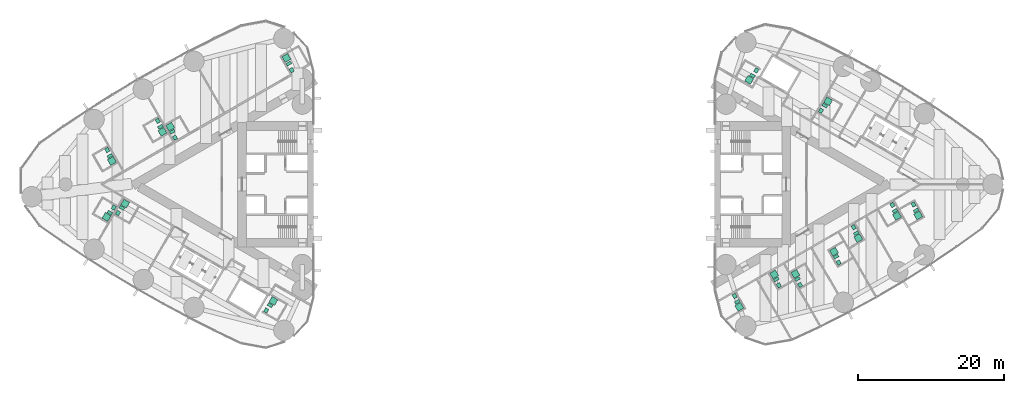
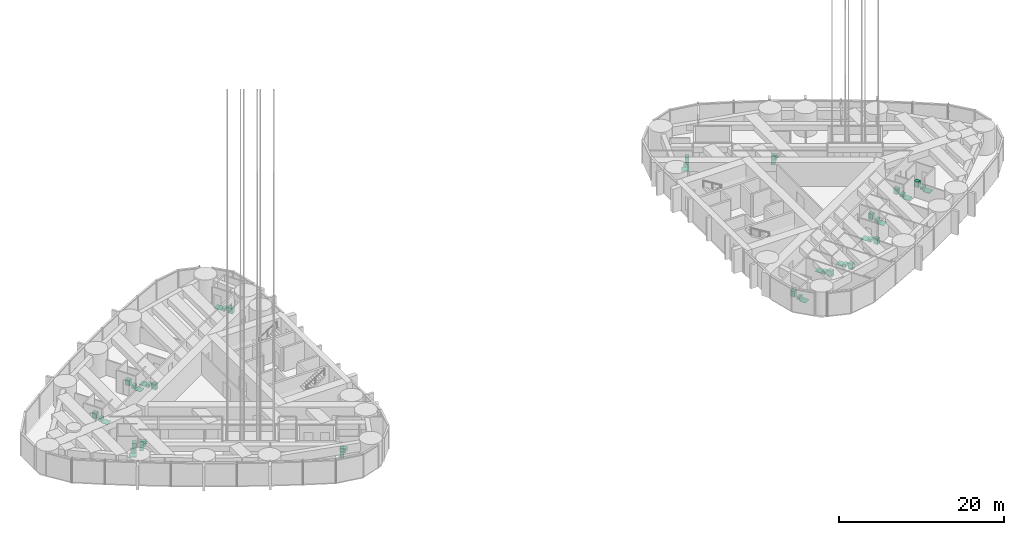
# One storey, part 19 of 21: 18 sanitary terminals.
"""IFC4 building model written with IfcOpenShell, lengths in metres."""

from ifc_helpers import new_model, si_unit, direction, frame, origin, origin_2d, place, context, subcontext, project, spatial, rectangle, extrude, material, type_object, element, save


model = new_model("IFC4")

# Units and contexts
model_context = context("Model", 3, precision=1e-05, world=origin(), true_north=direction((0.0, 1.0)))
body_context = subcontext(model_context, "Body", "Model", "MODEL_VIEW")
ifc_project = project(units=[si_unit("LENGTHUNIT", "METRE"), si_unit("AREAUNIT", "SQUARE_METRE"), si_unit("VOLUMEUNIT", "CUBIC_METRE"), si_unit("PLANEANGLEUNIT", "RADIAN"), si_unit("MASSUNIT", "GRAM", prefix="KILO")], contexts=[model_context])

# Site, building, storey
site_placement = place(None, origin())
site = spatial("IfcSite", under=ifc_project, at=site_placement, CompositionType="ELEMENT")
building_placement = place(site_placement, origin())
building = spatial("IfcBuilding", under=site, at=building_placement, Name="Lancet Gate Hotel", CompositionType="ELEMENT")
storey_placement = place(building_placement, frame((0.0, 0.0, 156.300048828125)))
storey = spatial("IfcBuildingStorey", under=building, at=storey_placement, Name="L41", CompositionType="ELEMENT", Elevation=156.300048828125)

# Sanitary terminals
ifc_material_1 = material(Name="Vitreous china sanitary ware")
sanitary_terminal_type_1 = type_object("IfcSanitaryTerminalType", Name="En-suite sanitary set (shower, WC, basin)", PredefinedType="USERDEFINED", material=ifc_material_1)
sanitary_terminal_1_placement = place(storey_placement, frame((-47.13525390625, 7.90576171875, 0.0), z_axis=(0.0, 0.0, 1.0), x_axis=(1.0, 0.0, 0.0)))
element("IfcSanitaryTerminal", 1, at=sanitary_terminal_1_placement, inside=storey, type_object=sanitary_terminal_type_1, Name="En-suite sanitary set (shower, WC, basin) 4102", ObjectType="EN-SUITE SANITARY SET", PredefinedType="USERDEFINED", context=body_context, shape_type="SweptSolid", body=[
    extrude(rectangle(XDim=0.89990234375, YDim=0.89990234375, at=origin_2d()), frame((0.0, 0.0, 0.0), z_axis=(0.0, 0.0, 1.0), x_axis=(-0.5, 0.866025403784, 0.0)), (0.0, 0.0, 1.0), 0.050048828125),
    extrude(rectangle(XDim=0.39990234375, YDim=0.699951171875, at=origin_2d()), frame((0.278564453125, -0.682373046875, 0.0), z_axis=(0.0, 0.0, 1.0), x_axis=(-0.5, 0.866025403784, 0.0)), (0.0, 0.0, 1.0), 0.39990234375),
    extrude(rectangle(XDim=0.60009765625, YDim=0.5, at=origin_2d()), frame((0.6318359375, -1.494384765625, 0.0), z_axis=(0.0, 0.0, 1.0), x_axis=(-0.5, 0.866025403784, 0.0)), (0.0, 0.0, 1.0), 0.85009765625),
])
sanitary_terminal_2_placement = place(storey_placement, frame((-48.222412109375, 7.208740234375, 0.0), z_axis=(0.0, 0.0, 1.0), x_axis=(1.0, 0.0, 0.0)))
element("IfcSanitaryTerminal", 2, at=sanitary_terminal_2_placement, inside=storey, type_object=sanitary_terminal_type_1, Name="En-suite sanitary set (shower, WC, basin) 4103", ObjectType="EN-SUITE SANITARY SET", PredefinedType="USERDEFINED", context=body_context, shape_type="SweptSolid", body=[
    extrude(rectangle(XDim=0.89990234375, YDim=0.89990234375, at=origin_2d()), frame((0.0, 0.0, 0.0), z_axis=(0.0, 0.0, 1.0), x_axis=(0.5, -0.866025403784, 0.0)), (0.0, 0.0, 1.0), 0.050048828125),
    extrude(rectangle(XDim=0.39990234375, YDim=0.699951171875, at=origin_2d()), frame((-0.2783203125, 0.68212890625, 0.0), z_axis=(0.0, 0.0, 1.0), x_axis=(0.5, -0.866025403784, 0.0)), (0.0, 0.0, 1.0), 0.39990234375),
    extrude(rectangle(XDim=0.60009765625, YDim=0.5, at=origin_2d()), frame((-0.6318359375, 1.494140625, 0.0), z_axis=(0.0, 0.0, 1.0), x_axis=(0.5, -0.866025403784, 0.0)), (0.0, 0.0, 1.0), 0.85009765625),
])
sanitary_terminal_3_placement = place(storey_placement, frame((-55.1455078125, 3.211669921875, 0.0), z_axis=(0.0, 0.0, 1.0), x_axis=(1.0, 0.0, 0.0)))
element("IfcSanitaryTerminal", 3, at=sanitary_terminal_3_placement, inside=storey, type_object=sanitary_terminal_type_1, Name="En-suite sanitary set (shower, WC, basin) 4104", ObjectType="EN-SUITE SANITARY SET", PredefinedType="USERDEFINED", context=body_context, shape_type="SweptSolid", body=[
    extrude(rectangle(XDim=0.89990234375, YDim=0.89990234375, at=origin_2d()), frame((0.0, 0.0, 0.0), z_axis=(0.0, 0.0, 1.0), x_axis=(0.5, -0.866025403784, 0.0)), (0.0, 0.0, 1.0), 0.050048828125),
    extrude(rectangle(XDim=0.39990234375, YDim=0.699951171875, at=origin_2d()), frame((-0.278564453125, 0.68212890625, 0.0), z_axis=(0.0, 0.0, 1.0), x_axis=(0.5, -0.866025403784, 0.0)), (0.0, 0.0, 1.0), 0.39990234375),
    extrude(rectangle(XDim=0.60009765625, YDim=0.5, at=origin_2d()), frame((-0.6318359375, 1.494140625, 0.0), z_axis=(0.0, 0.0, 1.0), x_axis=(0.5, -0.866025403784, 0.0)), (0.0, 0.0, 1.0), 0.85009765625),
])
sanitary_terminal_4_placement = place(storey_placement, frame((-55.87548828125, -4.47607421875, 0.0), z_axis=(0.0, 0.0, 1.0), x_axis=(1.0, 0.0, 0.0)))
element("IfcSanitaryTerminal", 4, at=sanitary_terminal_4_placement, inside=storey, type_object=sanitary_terminal_type_1, Name="En-suite sanitary set (shower, WC, basin) 4105", ObjectType="EN-SUITE SANITARY SET", PredefinedType="USERDEFINED", context=body_context, shape_type="SweptSolid", body=[
    extrude(rectangle(XDim=0.89990234375, YDim=0.89990234375, at=origin_2d()), frame((0.0, 0.0, 0.0), z_axis=(0.0, 0.0, 1.0), x_axis=(-0.5, -0.866025403784, 0.0)), (0.0, 0.0, 1.0), 0.050048828125),
    extrude(rectangle(XDim=0.39990234375, YDim=0.699951171875, at=origin_2d()), frame((0.451416015625, 0.582275390625, 0.0), z_axis=(0.0, 0.0, 1.0), x_axis=(-0.5, -0.866025403784, 0.0)), (0.0, 0.0, 1.0), 0.39990234375),
    extrude(rectangle(XDim=0.60009765625, YDim=0.5, at=origin_2d()), frame((0.97802734375, 1.29443359375, 0.0), z_axis=(0.0, 0.0, 1.0), x_axis=(-0.5, -0.866025403784, 0.0)), (0.0, 0.0, 1.0), 0.85009765625),
])
sanitary_terminal_5_placement = place(storey_placement, frame((-53.328369140625, -2.644287109375, 0.0), z_axis=(0.0, 0.0, 1.0), x_axis=(1.0, 0.0, 0.0)))
element("IfcSanitaryTerminal", 5, at=sanitary_terminal_5_placement, inside=storey, type_object=sanitary_terminal_type_1, Name="En-suite sanitary set (shower, WC, basin) 4106", ObjectType="EN-SUITE SANITARY SET", PredefinedType="USERDEFINED", context=body_context, shape_type="SweptSolid", body=[
    extrude(rectangle(XDim=0.89990234375, YDim=0.89990234375, at=origin_2d()), frame((0.0, 0.0, 0.0), z_axis=(0.0, 0.0, 1.0), x_axis=(0.5, 0.866025403784, 0.0)), (0.0, 0.0, 1.0), 0.050048828125),
    extrude(rectangle(XDim=0.39990234375, YDim=0.699951171875, at=origin_2d()), frame((-0.45166015625, -0.58203125, 0.0), z_axis=(0.0, 0.0, 1.0), x_axis=(0.5, 0.866025403784, 0.0)), (0.0, 0.0, 1.0), 0.39990234375),
    extrude(rectangle(XDim=0.60009765625, YDim=0.5, at=origin_2d()), frame((-0.978271484375, -1.294189453125, 0.0), z_axis=(0.0, 0.0, 1.0), x_axis=(0.5, 0.866025403784, 0.0)), (0.0, 0.0, 1.0), 0.85009765625),
])
sanitary_terminal_6_placement = place(storey_placement, frame((-33.0107421875, -15.9912109375, 0.0), z_axis=(0.0, 0.0, 1.0), x_axis=(1.0, 0.0, 0.0)))
element("IfcSanitaryTerminal", 6, at=sanitary_terminal_6_placement, inside=storey, type_object=sanitary_terminal_type_1, Name="En-suite sanitary set (shower, WC, basin) 4108", ObjectType="EN-SUITE SANITARY SET", PredefinedType="USERDEFINED", context=body_context, shape_type="SweptSolid", body=[
    extrude(rectangle(XDim=0.89990234375, YDim=0.89990234375, at=origin_2d()), frame((0.0, 0.0, 0.0), z_axis=(0.0, 0.0, 1.0), x_axis=(0.5, 0.866025403784, 0.0)), (0.0, 0.0, 1.0), 0.050048828125),
    extrude(rectangle(XDim=0.39990234375, YDim=0.699951171875, at=origin_2d()), frame((-0.45166015625, -0.582275390625, 0.0), z_axis=(0.0, 0.0, 1.0), x_axis=(0.5, 0.866025403784, 0.0)), (0.0, 0.0, 1.0), 0.39990234375),
    extrude(rectangle(XDim=0.60009765625, YDim=0.5, at=origin_2d()), frame((-0.978271484375, -1.294189453125, 0.0), z_axis=(0.0, 0.0, 1.0), x_axis=(0.5, 0.866025403784, 0.0)), (0.0, 0.0, 1.0), 0.85009765625),
])
sanitary_terminal_7_placement = place(storey_placement, frame((30.869140625, -16.796875, 0.0), z_axis=(0.0, 0.0, 1.0), x_axis=(1.0, 0.0, 0.0)))
element("IfcSanitaryTerminal", 7, at=sanitary_terminal_7_placement, inside=storey, type_object=sanitary_terminal_type_1, Name="En-suite sanitary set (shower, WC, basin) 4151", ObjectType="EN-SUITE SANITARY SET", PredefinedType="USERDEFINED", context=body_context, shape_type="SweptSolid", body=[
    extrude(rectangle(XDim=0.89990234375, YDim=0.89990234375, at=origin_2d()), frame((0.0, 0.0, 0.0), z_axis=(0.0, 0.0, 1.0), x_axis=(0.5, -0.866025403784, 0.0)), (0.0, 0.0, 1.0), 0.050048828125),
    extrude(rectangle(XDim=0.39990234375, YDim=0.699951171875, at=origin_2d()), frame((-0.2783203125, 0.68212890625, 0.0), z_axis=(0.0, 0.0, 1.0), x_axis=(0.5, -0.866025403784, 0.0)), (0.0, 0.0, 1.0), 0.39990234375),
    extrude(rectangle(XDim=0.60009765625, YDim=0.5, at=origin_2d()), frame((-0.6318359375, 1.494384765625, 0.0), z_axis=(0.0, 0.0, 1.0), x_axis=(0.5, -0.866025403784, 0.0)), (0.0, 0.0, 1.0), 0.85009765625),
])
sanitary_terminal_8_placement = place(storey_placement, frame((35.6572265625, -12.3466796875, 0.0), z_axis=(0.0, 0.0, 1.0), x_axis=(1.0, 0.0, 0.0)))
element("IfcSanitaryTerminal", 8, at=sanitary_terminal_8_placement, inside=storey, type_object=sanitary_terminal_type_1, Name="En-suite sanitary set (shower, WC, basin) 4152", ObjectType="EN-SUITE SANITARY SET", PredefinedType="USERDEFINED", context=body_context, shape_type="SweptSolid", body=[
    extrude(rectangle(XDim=0.89990234375, YDim=0.89990234375, at=origin_2d()), frame((0.0, 0.0, 0.0), z_axis=(0.0, 0.0, 1.0), x_axis=(-0.5, 0.866025403784, 0.0)), (0.0, 0.0, 1.0), 0.050048828125),
    extrude(rectangle(XDim=0.39990234375, YDim=0.699951171875, at=origin_2d()), frame((0.278564453125, -0.68212890625, 0.0), z_axis=(0.0, 0.0, 1.0), x_axis=(-0.5, 0.866025403784, 0.0)), (0.0, 0.0, 1.0), 0.39990234375),
    extrude(rectangle(XDim=0.60009765625, YDim=0.5, at=origin_2d()), frame((0.6318359375, -1.494140625, 0.0), z_axis=(0.0, 0.0, 1.0), x_axis=(-0.5, 0.866025403784, 0.0)), (0.0, 0.0, 1.0), 0.85009765625),
])
for number, where, z_axis, x_axis, name in (
    (9, (38.565673828125, -12.283935546875, 0.0), (0.0, 0.0, 1.0), (1.0, 0.0, 0.0), "En-suite sanitary set (shower, WC, basin) 4153"),
    (10, (43.856689453125, -9.229248046875, 0.0), (0.0, 0.0, 1.0), (1.0, 0.0, 0.0), "En-suite sanitary set (shower, WC, basin) 4154"),
):
    element("IfcSanitaryTerminal", number, at=place(storey_placement, frame(where, z_axis=z_axis, x_axis=x_axis)), inside=storey, type_object=sanitary_terminal_type_1, Name=name, ObjectType="EN-SUITE SANITARY SET", PredefinedType="USERDEFINED", context=body_context, shape_type="SweptSolid", body=[
        extrude(rectangle(XDim=0.89990234375, YDim=0.89990234375, at=origin_2d()), frame((0.0, 0.0, 0.0), z_axis=(0.0, 0.0, 1.0), x_axis=(-0.5, 0.866025403784, 0.0)), (0.0, 0.0, 1.0), 0.050048828125),
        extrude(rectangle(XDim=0.39990234375, YDim=0.699951171875, at=origin_2d()), frame((0.2783203125, -0.682373046875, 0.0), z_axis=(0.0, 0.0, 1.0), x_axis=(-0.5, 0.866025403784, 0.0)), (0.0, 0.0, 1.0), 0.39990234375),
        extrude(rectangle(XDim=0.60009765625, YDim=0.5, at=origin_2d()), frame((0.6318359375, -1.494384765625, 0.0), z_axis=(0.0, 0.0, 1.0), x_axis=(-0.5, 0.866025403784, 0.0)), (0.0, 0.0, 1.0), 0.85009765625),
    ])
sanitary_terminal_9_placement = place(storey_placement, frame((47.186279296875, -7.376220703125, 0.0), z_axis=(0.0, 0.0, 1.0), x_axis=(1.0, 0.0, 0.0)))
element("IfcSanitaryTerminal", 11, at=sanitary_terminal_9_placement, inside=storey, type_object=sanitary_terminal_type_1, Name="En-suite sanitary set (shower, WC, basin) 4155", ObjectType="EN-SUITE SANITARY SET", PredefinedType="USERDEFINED", context=body_context, shape_type="SweptSolid", body=[
    extrude(rectangle(XDim=0.89990234375, YDim=0.89990234375, at=origin_2d()), frame((0.0, 0.0, 0.0), z_axis=(0.0, 0.0, 1.0), x_axis=(0.5, -0.866025403784, 0.0)), (0.0, 0.0, 1.0), 0.050048828125),
    extrude(rectangle(XDim=0.39990234375, YDim=0.699951171875, at=origin_2d()), frame((-0.278564453125, 0.68212890625, 0.0), z_axis=(0.0, 0.0, 1.0), x_axis=(0.5, -0.866025403784, 0.0)), (0.0, 0.0, 1.0), 0.39990234375),
    extrude(rectangle(XDim=0.60009765625, YDim=0.5, at=origin_2d()), frame((-0.6318359375, 1.494384765625, 0.0), z_axis=(0.0, 0.0, 1.0), x_axis=(0.5, -0.866025403784, 0.0)), (0.0, 0.0, 1.0), 0.85009765625),
])
sanitary_terminal_10_placement = place(storey_placement, frame((52.481689453125, -4.31884765625, 0.0), z_axis=(0.0, 0.0, 1.0), x_axis=(1.0, 0.0, 0.0)))
element("IfcSanitaryTerminal", 12, at=sanitary_terminal_10_placement, inside=storey, type_object=sanitary_terminal_type_1, Name="En-suite sanitary set (shower, WC, basin) 4156", ObjectType="EN-SUITE SANITARY SET", PredefinedType="USERDEFINED", context=body_context, shape_type="SweptSolid", body=[
    extrude(rectangle(XDim=0.89990234375, YDim=0.89990234375, at=origin_2d()), frame((0.0, 0.0, 0.0), z_axis=(0.0, 0.0, 1.0), x_axis=(0.5, -0.866025403784, 0.0)), (0.0, 0.0, 1.0), 0.050048828125),
    extrude(rectangle(XDim=0.39990234375, YDim=0.699951171875, at=origin_2d()), frame((-0.2783203125, 0.68212890625, 0.0), z_axis=(0.0, 0.0, 1.0), x_axis=(0.5, -0.866025403784, 0.0)), (0.0, 0.0, 1.0), 0.39990234375),
    extrude(rectangle(XDim=0.60009765625, YDim=0.5, at=origin_2d()), frame((-0.6318359375, 1.494140625, 0.0), z_axis=(0.0, 0.0, 1.0), x_axis=(0.5, -0.866025403784, 0.0)), (0.0, 0.0, 1.0), 0.85009765625),
])
sanitary_terminal_11_placement = place(storey_placement, frame((55.39013671875, -4.25634765625, 0.0), z_axis=(0.0, 0.0, 1.0), x_axis=(1.0, 0.0, 0.0)))
element("IfcSanitaryTerminal", 13, at=sanitary_terminal_11_placement, inside=storey, type_object=sanitary_terminal_type_1, Name="En-suite sanitary set (shower, WC, basin) 4157", ObjectType="EN-SUITE SANITARY SET", PredefinedType="USERDEFINED", context=body_context, shape_type="SweptSolid", body=[
    extrude(rectangle(XDim=0.89990234375, YDim=0.89990234375, at=origin_2d()), frame((0.0, 0.0, 0.0), z_axis=(0.0, 0.0, 1.0), x_axis=(0.5, -0.866025403784, 0.0)), (0.0, 0.0, 1.0), 0.050048828125),
    extrude(rectangle(XDim=0.39990234375, YDim=0.699951171875, at=origin_2d()), frame((-0.2783203125, 0.68212890625, 0.0), z_axis=(0.0, 0.0, 1.0), x_axis=(0.5, -0.866025403784, 0.0)), (0.0, 0.0, 1.0), 0.39990234375),
    extrude(rectangle(XDim=0.60009765625, YDim=0.5, at=origin_2d()), frame((-0.6318359375, 1.494384765625, 0.0), z_axis=(0.0, 0.0, 1.0), x_axis=(0.5, -0.866025403784, 0.0)), (0.0, 0.0, 1.0), 0.85009765625),
])
sanitary_terminal_12_placement = place(storey_placement, frame((43.04296875, 11.385009765625, 0.0), z_axis=(0.0, 0.0, 1.0), x_axis=(1.0, 0.0, 0.0)))
element("IfcSanitaryTerminal", 14, at=sanitary_terminal_12_placement, inside=storey, type_object=sanitary_terminal_type_1, Name="En-suite sanitary set (shower, WC, basin) 4161", ObjectType="EN-SUITE SANITARY SET", PredefinedType="USERDEFINED", context=body_context, shape_type="SweptSolid", body=[
    extrude(rectangle(XDim=0.89990234375, YDim=0.89990234375, at=origin_2d()), frame((0.0, 0.0, 0.0), z_axis=(0.0, 0.0, 1.0), x_axis=(0.5, 0.866025403784, 0.0)), (0.0, 0.0, 1.0), 0.050048828125),
    extrude(rectangle(XDim=0.39990234375, YDim=0.699951171875, at=origin_2d()), frame((-0.45166015625, -0.582275390625, 0.0), z_axis=(0.0, 0.0, 1.0), x_axis=(0.5, 0.866025403784, 0.0)), (0.0, 0.0, 1.0), 0.39990234375),
    extrude(rectangle(XDim=0.60009765625, YDim=0.5, at=origin_2d()), frame((-0.978271484375, -1.294189453125, 0.0), z_axis=(0.0, 0.0, 1.0), x_axis=(0.5, 0.866025403784, 0.0)), (0.0, 0.0, 1.0), 0.85009765625),
])
sanitary_terminal_13_placement = place(storey_placement, frame((32.223876953125, 14.328857421875, 0.0), z_axis=(0.0, 0.0, 1.0), x_axis=(1.0, 0.0, 0.0)))
element("IfcSanitaryTerminal", 15, at=sanitary_terminal_13_placement, inside=storey, type_object=sanitary_terminal_type_1, Name="En-suite sanitary set (shower, WC, basin) 4164", ObjectType="EN-SUITE SANITARY SET", PredefinedType="USERDEFINED", context=body_context, shape_type="SweptSolid", body=[
    extrude(rectangle(XDim=0.89990234375, YDim=0.89990234375, at=origin_2d()), frame((0.0, 0.0, 0.0), z_axis=(0.0, 0.0, 1.0), x_axis=(-0.5, -0.866025403784, 0.0)), (0.0, 0.0, 1.0), 0.050048828125),
    extrude(rectangle(XDim=0.39990234375, YDim=0.699951171875, at=origin_2d()), frame((0.451416015625, 0.582275390625, 0.0), z_axis=(0.0, 0.0, 1.0), x_axis=(-0.5, -0.866025403784, 0.0)), (0.0, 0.0, 1.0), 0.39990234375),
    extrude(rectangle(XDim=0.60009765625, YDim=0.5, at=origin_2d()), frame((0.97802734375, 1.29443359375, 0.0), z_axis=(0.0, 0.0, 1.0), x_axis=(-0.5, -0.866025403784, 0.0)), (0.0, 0.0, 1.0), 0.85009765625),
])
ifc_material_2 = material(Name="Stone resin shower tray", Category="masonry")
sanitary_terminal_type_2 = type_object("IfcSanitaryTerminalType", Name="Shower tray 900", PredefinedType="SHOWER", material=ifc_material_2)
sanitary_terminal_14_placement = place(storey_placement, frame((-31.216064453125, 17.327392578125, 0.0), z_axis=(0.0, 0.0, 1.0), x_axis=(-0.5, 0.866025403784, 0.0)))
element("IfcSanitaryTerminal", 16, at=sanitary_terminal_14_placement, inside=storey, type_object=sanitary_terminal_type_2, Name="Shower tray 900 4101", PredefinedType="SHOWER", context=body_context, shape_type="SweptSolid", body=[
    extrude(rectangle(XDim=0.89990234375, YDim=0.89990234375, at=origin_2d()), origin(), (0.0, 0.0, 1.0), 0.050048828125),
])
ifc_material_3 = material(Name="Vitreous china sanitary ware")
sanitary_terminal_type_3 = type_object("IfcSanitaryTerminalType", Name="Vanity basin 600", PredefinedType="WASHHANDBASIN", material=ifc_material_3)
sanitary_terminal_15_placement = place(storey_placement, frame((-30.484375, 15.659912109375, 0.0), z_axis=(0.0, 0.0, 1.0), x_axis=(-0.5, 0.866025403784, 0.0)))
element("IfcSanitaryTerminal", 17, at=sanitary_terminal_15_placement, inside=storey, type_object=sanitary_terminal_type_3, Name="Vanity basin 600 4101", PredefinedType="WASHHANDBASIN", context=body_context, shape_type="SweptSolid", body=[
    extrude(rectangle(XDim=0.60009765625, YDim=0.5, at=origin_2d()), origin(), (0.0, 0.0, 1.0), 0.85009765625),
])
ifc_material_4 = material(Name="Vitreous china sanitary ware")
sanitary_terminal_type_4 = type_object("IfcSanitaryTerminalType", Name="WC pan wall hung", PredefinedType="TOILETPAN", material=ifc_material_4)
sanitary_terminal_16_placement = place(storey_placement, frame((-30.8876953125, 16.55859375, 0.0), z_axis=(0.0, 0.0, 1.0), x_axis=(-0.5, 0.866025403784, 0.0)))
element("IfcSanitaryTerminal", 18, at=sanitary_terminal_16_placement, inside=storey, type_object=sanitary_terminal_type_4, Name="WC pan wall hung 4101", PredefinedType="TOILETPAN", context=body_context, shape_type="SweptSolid", body=[
    extrude(rectangle(XDim=0.39990234375, YDim=0.699951171875, at=origin_2d()), origin(), (0.0, 0.0, 1.0), 0.39990234375),
])

save(model, "model.ifc")
